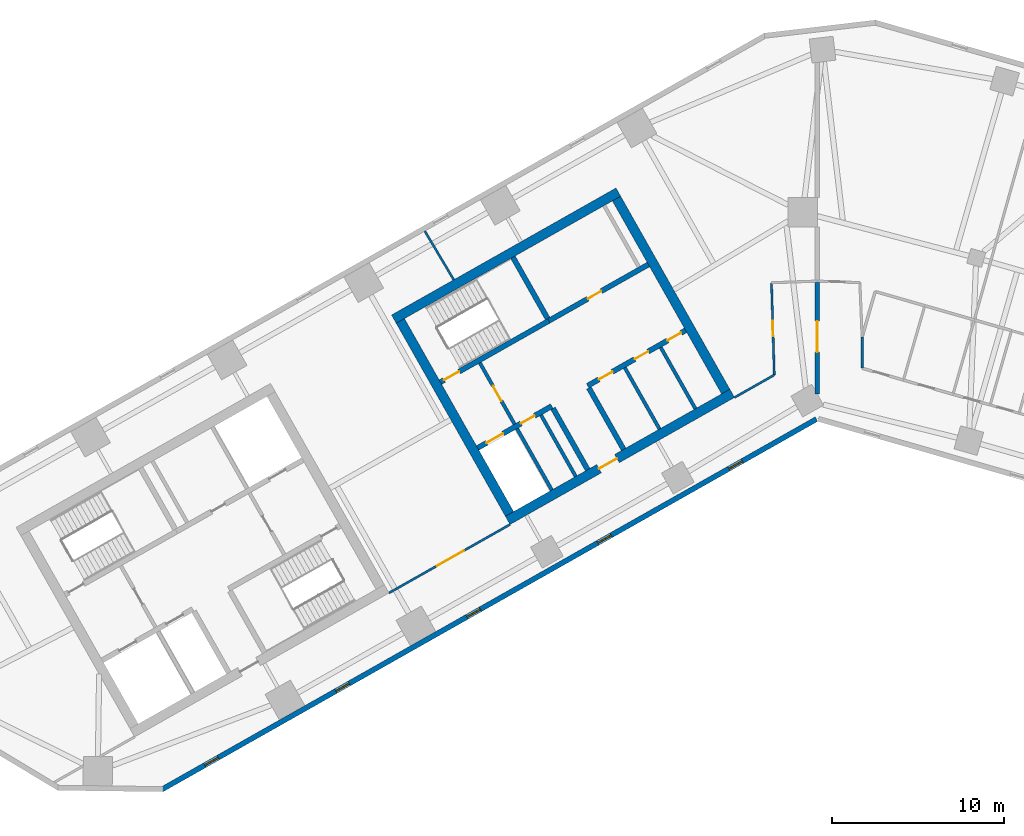
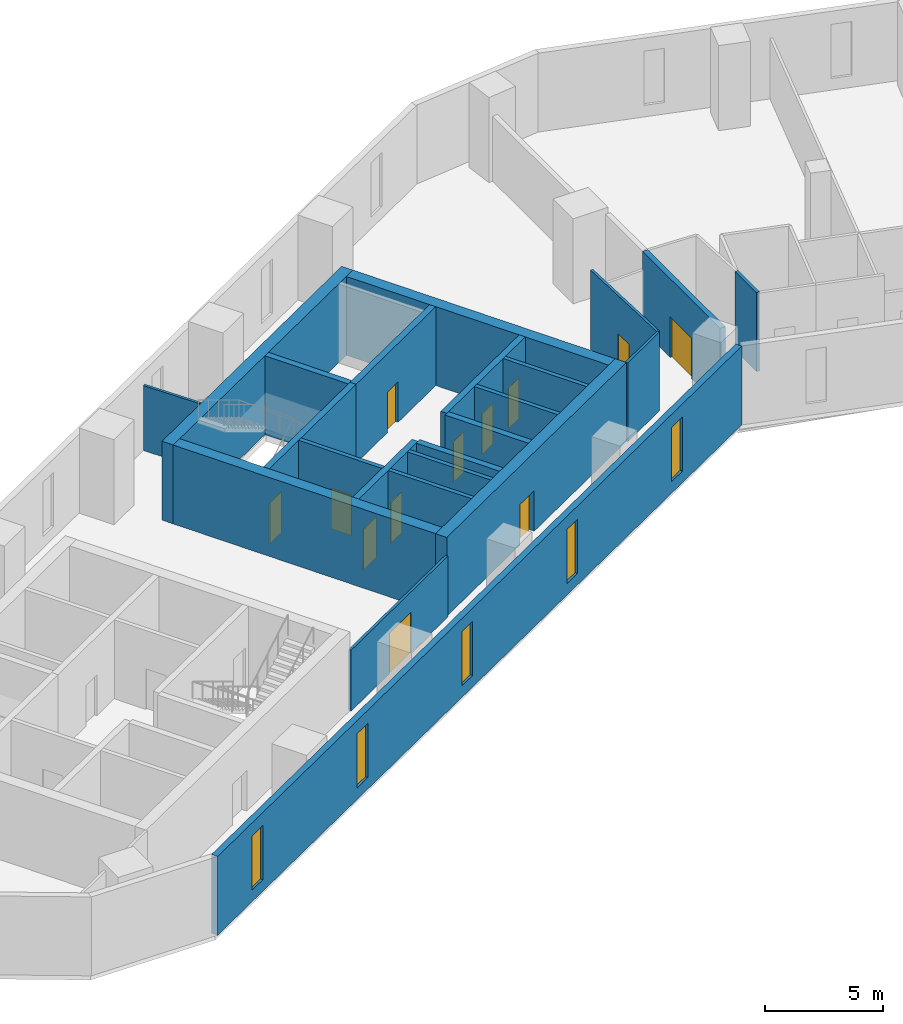
# One storey, part 4 of 10: 23 walls, 12 doors, 5 windows, 17 openings.
"""IFC4 building model written with IfcOpenShell, lengths in metres."""

from ifc_helpers import new_model, si_unit, direction, frame, frame_2d, origin, place, context, subcontext, project, spatial, rectangle, extrude, material, layer, layer_set, type_object, element, fill, save


model = new_model("IFC4")

# Units and contexts
model_context = context("Model", 3, precision=1e-05, world=origin(), true_north=direction((0.0, 1.0)))
body_context = subcontext(model_context, "Body", "Model", "MODEL_VIEW")
ifc_project = project(units=[si_unit("LENGTHUNIT", "METRE"), si_unit("AREAUNIT", "SQUARE_METRE"), si_unit("VOLUMEUNIT", "CUBIC_METRE"), si_unit("PLANEANGLEUNIT", "RADIAN"), si_unit("MASSUNIT", "GRAM", prefix="KILO")], contexts=[model_context])

# Site, building, storey
site_placement = place(None, origin())
site = spatial("IfcSite", under=ifc_project, at=site_placement, CompositionType="ELEMENT")
building_placement = place(site_placement, origin())
building = spatial("IfcBuilding", under=site, at=building_placement, Name="Binnacle Exchange Tower", CompositionType="ELEMENT")
storey_placement = place(building_placement, frame((0.0, 0.0, 136.699951171875)))
storey = spatial("IfcBuildingStorey", under=building, at=storey_placement, Name="L28", CompositionType="ELEMENT", Elevation=136.699951171875)

# Walls
ifc_material_1 = material(Name="Gypsum partition fire rated")
ifc_layer_1 = layer(ifc_material_1, 0.199951171875)
ifc_layer_set_1 = layer_set([ifc_layer_1], Name="Core partition 200")
wall_type_1 = type_object("IfcWallType", Name="Core partition 200", PredefinedType="PARTITIONING", material=ifc_layer_set_1)
wall_1_placement = place(storey_placement, frame((-11.201904296875, 50.96240234375, 0.0), z_axis=(0.0, 0.0, 1.0), x_axis=(0.492428039142, -0.870353161807, 0.0)))
element("IfcWall", 1, at=wall_1_placement, inside=storey, type_object=wall_type_1, Name="Core wall CRWC19", PredefinedType="PARTITIONING", context=body_context, shape_type="SweptSolid", body=[
    extrude(rectangle(XDim=4.10009765625, YDim=0.199951171875, at=frame_2d((2.050048828125, 0.0))), origin(), (0.0, 0.0, 1.0), 4.080078125),
])
wall_2_placement = place(storey_placement, frame((-9.11279296875, 52.14404296875, 0.0), z_axis=(0.0, 0.0, 1.0), x_axis=(0.492408451753, -0.87036424366, 0.0)))
element("IfcWall", 2, at=wall_2_placement, inside=storey, type_object=wall_type_1, Name="Core wall CRWC22", PredefinedType="PARTITIONING", context=body_context, shape_type="SweptSolid", body=[
    extrude(rectangle(XDim=4.099853515625, YDim=0.199951171875, at=frame_2d((2.0498046875, 0.0))), origin(), (0.0, 0.0, 1.0), 4.080078125),
])

# Wall, openings, doors
ifc_material_2 = material(Name="Concrete C70/85", Category="concrete")
ifc_layer_2 = layer(ifc_material_2, 0.300048828125)
ifc_layer_set_2 = layer_set([ifc_layer_2], Name="Core wall - front 300")
wall_type_2 = type_object("IfcWallType", Name="Core wall - front 300", PredefinedType="SOLIDWALL", material=ifc_layer_set_2)
wall_3_placement = place(storey_placement, frame((-19.76171875, 46.291748046875, 0.0), z_axis=(0.0, 0.0, 1.0), x_axis=(0.870359758983, 0.49241637863, 0.0)))
wall_3 = element("IfcWall", 3, at=wall_3_placement, inside=storey, type_object=wall_type_2, Name="Core wall CRWC2", PredefinedType="SOLIDWALL", context=body_context, shape_type="SweptSolid", body=[
    extrude(rectangle(XDim=4.9501953125, YDim=0.300048828125, at=frame_2d((2.47509765625, 0.0))), origin(), (0.0, 0.0, 1.0), 4.080078125),
])
opening_1_placement = place(wall_3_placement, frame((0.60009765625, 0.0, 0.0)))
opening_1 = element("IfcOpeningElement", 4, at=opening_1_placement, cuts=wall_3, Name="Opening LD14", PredefinedType="OPENING", context=body_context, shape_type="SweptSolid", body=[
    extrude(rectangle(XDim=1.10009765625, YDim=2.10009765625, at=frame_2d((0.550048828125, 1.050048828125))), frame((0.0, 0.159912109375, 0.0), z_axis=(0.0, -1.0, 0.0), x_axis=(1.0, 0.0, 0.0)), (0.0, 0.0, 1.0), 0.320068359375),
])
opening_2_placement = place(wall_3_placement, frame((2.89990234375, 0.0, 0.0)))
opening_2 = element("IfcOpeningElement", 5, at=opening_2_placement, cuts=wall_3, Name="Opening DC14", PredefinedType="OPENING", context=body_context, shape_type="SweptSolid", body=[
    extrude(rectangle(XDim=0.89990234375, YDim=2.10009765625, at=frame_2d((0.449951171875, 1.050048828125))), frame((0.0, 0.159912109375, 0.0), z_axis=(0.0, -1.0, 0.0), x_axis=(1.0, 0.0, 0.0)), (0.0, 0.0, 1.0), 0.320068359375),
])
ifc_material_3 = material(Name="Steel door leaf", Category="steel")
door_type_1 = type_object("IfcDoorType", Name="Fire door - lift landing 1100", OperationType="NOTDEFINED", PredefinedType="DOOR", material=ifc_material_3)
door_1_placement = place(opening_1_placement, origin())
door_1 = element("IfcDoor", 6, at=door_1_placement, inside=storey, type_object=door_type_1, Name="Landing door LD14 L28", OperationType="DOUBLE_DOOR_SLIDING", OverallHeight=2.10009765625, OverallWidth=1.10009765625, PredefinedType="DOOR", context=body_context, shape_type="SweptSolid", body=[
    extrude(rectangle(XDim=1.10009765625, YDim=2.10009765625, at=frame_2d((0.550048828125, 1.050048828125))), frame((0.0, 0.02490234375, 0.0), z_axis=(0.0, -1.0, 0.0), x_axis=(1.0, 0.0, 0.0)), (0.0, 0.0, 1.0), 0.050048828125),
])
fill(opening_1, door_1)
door_type_2 = type_object("IfcDoorType", Name="Fire door 900", OperationType="NOTDEFINED", PredefinedType="DOOR", material=ifc_material_3)
door_2_placement = place(opening_2_placement, frame((0.89990234375, 0.0, 0.0), z_axis=(0.0, 0.0, 1.0), x_axis=(-1.0, 0.0, 0.0)))
door_2 = element("IfcDoor", 7, at=door_2_placement, inside=storey, type_object=door_type_2, Name="Core room door ELECTRICAL ROOM", OperationType="SINGLE_SWING_LEFT", OverallHeight=2.10009765625, OverallWidth=0.89990234375, PredefinedType="DOOR", context=body_context, shape_type="SweptSolid", body=[
    extrude(rectangle(XDim=0.89990234375, YDim=2.10009765625, at=frame_2d((0.449951171875, 1.050048828125))), frame((0.0, 0.02490234375, 0.0), z_axis=(0.0, -1.0, 0.0), x_axis=(1.0, 0.0, 0.0)), (0.0, 0.0, 1.0), 0.050048828125),
])
fill(opening_2, door_2)

wall_4_placement = place(storey_placement, frame((-13.364501953125, 49.910888671875, 0.0), z_axis=(0.0, 0.0, 1.0), x_axis=(0.870336435567, 0.492457601144, 0.0)))
wall_4 = element("IfcWall", 8, at=wall_4_placement, inside=storey, type_object=wall_type_2, Name="Core wall CRWC3", PredefinedType="SOLIDWALL", context=body_context, shape_type="SweptSolid", body=[
    extrude(rectangle(XDim=6.550048828125, YDim=0.300048828125, at=frame_2d((3.27490234375, 0.0))), origin(), (0.0, 0.0, 1.0), 4.080078125),
])
opening_3_placement = place(wall_4_placement, frame((0.75, 0.0, 0.0)))
opening_3 = element("IfcOpeningElement", 9, at=opening_3_placement, cuts=wall_4, Name="Opening DC18", PredefinedType="OPENING", context=body_context, shape_type="SweptSolid", body=[
    extrude(rectangle(XDim=0.89990234375, YDim=2.10009765625, at=frame_2d((0.449951171875, 1.050048828125))), frame((0.0, 0.159912109375, 0.0), z_axis=(0.0, -1.0, 0.0), x_axis=(1.0, 0.0, 0.0)), (0.0, 0.0, 1.0), 0.320068359375),
])
opening_4_placement = place(wall_4_placement, frame((3.14990234375, 0.0, 0.0)))
opening_4 = element("IfcOpeningElement", 10, at=opening_4_placement, cuts=wall_4, Name="Opening DC19", PredefinedType="OPENING", context=body_context, shape_type="SweptSolid", body=[
    extrude(rectangle(XDim=0.89990234375, YDim=2.10009765625, at=frame_2d((0.449951171875, 1.050048828125))), frame((0.0, 0.159912109375, 0.0), z_axis=(0.0, -1.0, 0.0), x_axis=(1.0, 0.0, 0.0)), (0.0, 0.0, 1.0), 0.320068359375),
])
opening_5_placement = place(wall_4_placement, frame((5.35009765625, 0.0, 0.0)))
opening_5 = element("IfcOpeningElement", 11, at=opening_5_placement, cuts=wall_4, Name="Opening DC20", PredefinedType="OPENING", context=body_context, shape_type="SweptSolid", body=[
    extrude(rectangle(XDim=0.89990234375, YDim=2.10009765625, at=frame_2d((0.449951171875, 1.050048828125))), frame((0.0, 0.159912109375, 0.0), z_axis=(0.0, -1.0, 0.0), x_axis=(1.0, 0.0, 0.0)), (0.0, 0.0, 1.0), 0.320068359375),
])
door_3_placement = place(opening_3_placement, frame((0.89990234375, 0.0, 0.0), z_axis=(0.0, 0.0, 1.0), x_axis=(-1.0, 0.0, 0.0)))
door_3 = element("IfcDoor", 12, at=door_3_placement, inside=storey, type_object=door_type_2, Name="Core room door COMMS RISER ROOM", OperationType="SINGLE_SWING_RIGHT", OverallHeight=2.10009765625, OverallWidth=0.89990234375, PredefinedType="DOOR", context=body_context, shape_type="SweptSolid", body=[
    extrude(rectangle(XDim=0.89990234375, YDim=2.10009765625, at=frame_2d((0.449951171875, 1.050048828125))), frame((0.0, 0.02490234375, 0.0), z_axis=(0.0, -1.0, 0.0), x_axis=(1.0, 0.0, 0.0)), (0.0, 0.0, 1.0), 0.050048828125),
])
fill(opening_3, door_3)
door_4_placement = place(opening_4_placement, frame((0.89990234375, 0.0, 0.0), z_axis=(0.0, 0.0, 1.0), x_axis=(-1.0, 0.0, 0.0)))
door_4 = element("IfcDoor", 13, at=door_4_placement, inside=storey, type_object=door_type_2, Name="Core room door CLEANERS STORE", OperationType="SINGLE_SWING_LEFT", OverallHeight=2.10009765625, OverallWidth=0.89990234375, PredefinedType="DOOR", context=body_context, shape_type="SweptSolid", body=[
    extrude(rectangle(XDim=0.89990234375, YDim=2.10009765625, at=frame_2d((0.449951171875, 1.050048828125))), frame((0.0, 0.02490234375, 0.0), z_axis=(0.0, -1.0, 0.0), x_axis=(1.0, 0.0, 0.0)), (0.0, 0.0, 1.0), 0.050048828125),
])
fill(opening_4, door_4)
door_5_placement = place(opening_5_placement, frame((0.89990234375, 0.0, 0.0), z_axis=(0.0, 0.0, 1.0), x_axis=(-1.0, 0.0, 0.0)))
door_5 = element("IfcDoor", 14, at=door_5_placement, inside=storey, type_object=door_type_2, Name="Core room door IT STORE", OperationType="SINGLE_SWING_LEFT", OverallHeight=2.10009765625, OverallWidth=0.89990234375, PredefinedType="DOOR", context=body_context, shape_type="SweptSolid", body=[
    extrude(rectangle(XDim=0.89990234375, YDim=2.10009765625, at=frame_2d((0.449951171875, 1.050048828125))), frame((0.0, 0.02490234375, 0.0), z_axis=(0.0, -1.0, 0.0), x_axis=(1.0, 0.0, 0.0)), (0.0, 0.0, 1.0), 0.050048828125),
])
fill(opening_5, door_5)

# Wall, opening, door
wall_5_placement = place(storey_placement, frame((-15.6181640625, 53.69140625, 0.0), z_axis=(0.0, 0.0, 1.0), x_axis=(0.870367894134, 0.492401999246, 0.0)))
wall_5 = element("IfcWall", 15, at=wall_5_placement, inside=storey, type_object=wall_type_2, Name="Core wall CRWC5", PredefinedType="SOLIDWALL", context=body_context, shape_type="SweptSolid", body=[
    extrude(rectangle(XDim=6.64990234375, YDim=0.300048828125, at=frame_2d((3.324951171875, 0.0))), origin(), (0.0, 0.0, 1.0), 4.080078125),
])
opening_6_placement = place(wall_5_placement, frame((2.60009765625, 0.0, 0.0)))
opening_6 = element("IfcOpeningElement", 16, at=opening_6_placement, cuts=wall_5, Name="Opening DC10", PredefinedType="OPENING", context=body_context, shape_type="SweptSolid", body=[
    extrude(rectangle(XDim=0.89990234375, YDim=2.10009765625, at=frame_2d((0.449951171875, 1.050048828125))), frame((0.0, 0.159912109375, 0.0), z_axis=(0.0, -1.0, 0.0), x_axis=(1.0, 0.0, 0.0)), (0.0, 0.0, 1.0), 0.320068359375),
])
door_6_placement = place(opening_6_placement, origin())
door_6 = element("IfcDoor", 17, at=door_6_placement, inside=storey, type_object=door_type_2, Name="Core room door SPARES STORE", OperationType="SINGLE_SWING_LEFT", OverallHeight=2.10009765625, OverallWidth=0.89990234375, PredefinedType="DOOR", context=body_context, shape_type="SweptSolid", body=[
    extrude(rectangle(XDim=0.89990234375, YDim=2.10009765625, at=frame_2d((0.449951171875, 1.050048828125))), frame((0.0, 0.02490234375, 0.0), z_axis=(0.0, -1.0, 0.0), x_axis=(1.0, 0.0, 0.0)), (0.0, 0.0, 1.0), 0.050048828125),
])
fill(opening_6, door_6)

# Walls
wall_6_placement = place(storey_placement, frame((-15.37939453125, 48.5986328125, 0.0), z_axis=(0.0, 0.0, 1.0), x_axis=(0.492408451753, -0.87036424366, 0.0)))
element("IfcWall", 18, at=wall_6_placement, inside=storey, type_object=wall_type_2, Name="Core wall CRWC13", PredefinedType="SOLIDWALL", context=body_context, shape_type="SweptSolid", body=[
    extrude(rectangle(XDim=4.099853515625, YDim=0.300048828125, at=frame_2d((2.0498046875, 0.0))), origin(), (0.0, 0.0, 1.0), 4.080078125),
])
wall_7_placement = place(storey_placement, frame((-13.29052734375, 49.780517578125, 0.0), z_axis=(0.0, 0.0, 1.0), x_axis=(0.492382931784, -0.870378681085, 0.0)))
element("IfcWall", 19, at=wall_7_placement, inside=storey, type_object=wall_type_2, Name="Core wall CRWC15", PredefinedType="SOLIDWALL", context=body_context, shape_type="SweptSolid", body=[
    extrude(rectangle(XDim=4.10009765625, YDim=0.300048828125, at=frame_2d((2.050048828125, 0.0))), origin(), (0.0, 0.0, 1.0), 4.080078125),
])

# Wall, opening, door
ifc_layer_3 = layer(ifc_material_2, 0.550048828125)
ifc_layer_set_3 = layer_set([ifc_layer_3], Name="Core wall - outer 550")
wall_type_3 = type_object("IfcWallType", Name="Core wall - outer 550", PredefinedType="SOLIDWALL", material=ifc_layer_set_3)
wall_8_placement = place(storey_placement, frame((-18.01220703125, 42.08251953125, 0.0), z_axis=(0.0, 0.0, 1.0), x_axis=(0.870360574057, 0.492414937962, 0.0)))
wall_8 = element("IfcWall", 20, at=wall_8_placement, inside=storey, type_object=wall_type_3, Name="Core wall CRWC1", PredefinedType="SOLIDWALL", context=body_context, shape_type="SweptSolid", body=[
    extrude(rectangle(XDim=15.0, YDim=0.550048828125, at=frame_2d((7.5, 0.0))), origin(), (0.0, 0.0, 1.0), 4.080078125),
])
opening_7_placement = place(wall_8_placement, frame((6.10009765625, 0.0, 0.0)))
opening_7 = element("IfcOpeningElement", 21, at=opening_7_placement, cuts=wall_8, Name="Opening DC7", PredefinedType="OPENING", context=body_context, shape_type="SweptSolid", body=[
    extrude(rectangle(XDim=1.199951171875, YDim=2.10009765625, at=frame_2d((0.60009765625, 1.050048828125))), frame((0.0, 0.284912109375, 0.0), z_axis=(0.0, -1.0, 0.0), x_axis=(1.0, 0.0, 0.0)), (0.0, 0.0, 1.0), 0.570068359375),
])
door_type_3 = type_object("IfcDoorType", Name="Fire door 1200", OperationType="NOTDEFINED", PredefinedType="DOOR", material=ifc_material_3)
door_7_placement = place(opening_7_placement, frame((1.199951171875, 0.0, 0.0), z_axis=(0.0, 0.0, 1.0), x_axis=(-1.0, 0.0, 0.0)))
door_7 = element("IfcDoor", 22, at=door_7_placement, inside=storey, type_object=door_type_3, Name="Lift lobby entrance door core C", OperationType="SINGLE_SWING_RIGHT", OverallHeight=2.10009765625, OverallWidth=1.199951171875, PredefinedType="DOOR", context=body_context, shape_type="SweptSolid", body=[
    extrude(rectangle(XDim=1.199951171875, YDim=2.10009765625, at=frame_2d((0.60009765625, 1.050048828125))), frame((0.0, 0.02490234375, 0.0), z_axis=(0.0, -1.0, 0.0), x_axis=(1.0, 0.0, 0.0)), (0.0, 0.0, 1.0), 0.050048828125),
])
fill(opening_7, door_7)

# Walls
wall_9_placement = place(storey_placement, frame((-24.63525390625, 53.788818359375, 0.0), z_axis=(0.0, 0.0, 1.0), x_axis=(0.870360574057, 0.492414937962, 0.0)))
element("IfcWall", 23, at=wall_9_placement, inside=storey, type_object=wall_type_3, Name="Core wall CRWC6", PredefinedType="SOLIDWALL", context=body_context, shape_type="SweptSolid", body=[
    extrude(rectangle(XDim=15.0, YDim=0.550048828125, at=frame_2d((7.5, 0.0))), origin(), (0.0, 0.0, 1.0), 4.080078125),
])
for number, where, z_axis, x_axis, name in (
    (24, (-24.260498046875, 53.684814453125, 0.0), (0.0, 0.0, 1.0), (0.492427022044, -0.870353737259, 0.0), "Core wall CRWC7"),
    (25, (-11.683837890625, 60.80029296875, 0.0), (0.0, 0.0, 1.0), (0.492427022044, -0.870353737259, 0.0), "Core wall CRWC24"),
):
    element("IfcWall", number, at=place(storey_placement, frame(where, z_axis=z_axis, x_axis=x_axis)), inside=storey, type_object=wall_type_3, Name=name, PredefinedType="SOLIDWALL", context=body_context, shape_type="SweptSolid", body=[
        extrude(rectangle(XDim=12.89990234375, YDim=0.550048828125, at=frame_2d((6.449951171875, 0.0))), origin(), (0.0, 0.0, 1.0), 4.080078125),
    ])

# Wall, opening, door
ifc_layer_4 = layer(ifc_material_2, 0.300048828125)
ifc_layer_set_4 = layer_set([ifc_layer_4], Name="Core wall - stair 300")
wall_type_4 = type_object("IfcWallType", Name="Core wall - stair 300", PredefinedType="SOLIDWALL", material=ifc_layer_set_4)
wall_10_placement = place(storey_placement, frame((-21.92822265625, 50.12109375, 0.0), z_axis=(0.0, 0.0, 1.0), x_axis=(0.870340732628, 0.49245000673, 0.0)))
wall_10 = element("IfcWall", 26, at=wall_10_placement, inside=storey, type_object=wall_type_4, Name="Core wall CRWC4", PredefinedType="SOLIDWALL", context=body_context, shape_type="SweptSolid", body=[
    extrude(rectangle(XDim=7.25, YDim=0.300048828125, at=frame_2d((3.625, 0.0))), origin(), (0.0, 0.0, 1.0), 4.080078125),
])
opening_8_placement = place(wall_10_placement, frame((0.25, 0.0, 0.0)))
opening_8 = element("IfcOpeningElement", 27, at=opening_8_placement, cuts=wall_10, Name="Opening DC1", PredefinedType="OPENING", context=body_context, shape_type="SweptSolid", body=[
    extrude(rectangle(XDim=1.0, YDim=2.10009765625, at=frame_2d((0.5, 1.050048828125))), frame((0.0, 0.159912109375, 0.0), z_axis=(0.0, -1.0, 0.0), x_axis=(1.0, 0.0, 0.0)), (0.0, 0.0, 1.0), 0.320068359375),
])
door_type_4 = type_object("IfcDoorType", Name="Fire door 1000", OperationType="NOTDEFINED", PredefinedType="DOOR", material=ifc_material_3)
door_8_placement = place(opening_8_placement, origin())
door_8 = element("IfcDoor", 28, at=door_8_placement, inside=storey, type_object=door_type_4, Name="Stair door ST-C1", OperationType="SINGLE_SWING_LEFT", OverallHeight=2.10009765625, OverallWidth=1.0, PredefinedType="DOOR", context=body_context, shape_type="SweptSolid", body=[
    extrude(rectangle(XDim=1.0, YDim=2.10009765625, at=frame_2d((0.5, 1.050048828125))), frame((0.0, 0.02490234375, 0.0), z_axis=(0.0, -1.0, 0.0), x_axis=(1.0, 0.0, 0.0)), (0.0, 0.0, 1.0), 0.050048828125),
])
fill(opening_8, door_8)

# Wall
wall_11_placement = place(storey_placement, frame((-17.7109375, 57.390380859375, 0.0), z_axis=(0.0, 0.0, 1.0), x_axis=(0.492408451753, -0.87036424366, 0.0)))
element("IfcWall", 29, at=wall_11_placement, inside=storey, type_object=wall_type_4, Name="Core wall CRWC14", PredefinedType="SOLIDWALL", context=body_context, shape_type="SweptSolid", body=[
    extrude(rectangle(XDim=4.099853515625, YDim=0.300048828125, at=frame_2d((2.0498046875, 0.0))), origin(), (0.0, 0.0, 1.0), 4.080078125),
])

# Wall, openings, windows
ifc_material_4 = material(Name="Bronze aluminium cladding", Category="aluminium")
ifc_layer_5 = layer(ifc_material_4, 0.300048828125)
ifc_layer_set_5 = layer_set([ifc_layer_5], Name="External wall - spandrel 300")
wall_type_5 = type_object("IfcWallType", Name="External wall - spandrel 300", PredefinedType="STANDARD", material=ifc_layer_set_5)
wall_12_placement = place(storey_placement, frame((-0.0546875, 47.968994140625, 0.0), z_axis=(0.0, 0.0, 1.0), x_axis=(-0.870355730478, -0.492423499058, 0.0)))
wall_12 = element("IfcWall", 30, at=wall_12_placement, inside=storey, type_object=wall_type_5, Name="External wall EW-F07 L28", PredefinedType="STANDARD", context=body_context, shape_type="SweptSolid", body=[
    extrude(rectangle(XDim=43.750244140625, YDim=0.300048828125, at=frame_2d((21.875, 0.0))), origin(), (0.0, 0.0, 1.0), 4.080078125),
])
opening_9_placement = place(wall_12_placement, frame((39.976806640625, 0.0, 0.60009765625)))
opening_9 = element("IfcOpeningElement", 31, at=opening_9_placement, cuts=wall_12, Name="Opening WS2", PredefinedType="OPENING", context=body_context, shape_type="SweptSolid", body=[
    extrude(rectangle(XDim=0.89990234375, YDim=2.800048828125, at=frame_2d((0.449951171875, 1.39990234375))), frame((0.0, 0.159912109375, 0.0), z_axis=(0.0, -1.0, 0.0), x_axis=(1.0, 0.0, 0.0)), (0.0, 0.0, 1.0), 0.320068359375),
])
opening_10_placement = place(wall_12_placement, frame((31.222412109375, 0.0, 0.60009765625)))
opening_10 = element("IfcOpeningElement", 32, at=opening_10_placement, cuts=wall_12, Name="Opening WS2", PredefinedType="OPENING", context=body_context, shape_type="SweptSolid", body=[
    extrude(rectangle(XDim=0.89990234375, YDim=2.800048828125, at=frame_2d((0.449951171875, 1.39990234375))), frame((0.0, 0.159912109375, 0.0), z_axis=(0.0, -1.0, 0.0), x_axis=(1.0, 0.0, 0.0)), (0.0, 0.0, 1.0), 0.320068359375),
])
opening_11_placement = place(wall_12_placement, frame((22.4677734375, 0.0, 0.60009765625)))
opening_11 = element("IfcOpeningElement", 33, at=opening_11_placement, cuts=wall_12, Name="Opening WS2", PredefinedType="OPENING", context=body_context, shape_type="SweptSolid", body=[
    extrude(rectangle(XDim=0.89990234375, YDim=2.800048828125, at=frame_2d((0.449951171875, 1.39990234375))), frame((0.0, 0.159912109375, 0.0), z_axis=(0.0, -1.0, 0.0), x_axis=(1.0, 0.0, 0.0)), (0.0, 0.0, 1.0), 0.320068359375),
])
opening_12_placement = place(wall_12_placement, frame((13.713134765625, 0.0, 0.60009765625)))
opening_12 = element("IfcOpeningElement", 34, at=opening_12_placement, cuts=wall_12, Name="Opening WS2", PredefinedType="OPENING", context=body_context, shape_type="SweptSolid", body=[
    extrude(rectangle(XDim=0.89990234375, YDim=2.800048828125, at=frame_2d((0.449951171875, 1.39990234375))), frame((0.0, 0.159912109375, 0.0), z_axis=(0.0, -1.0, 0.0), x_axis=(1.0, 0.0, 0.0)), (0.0, 0.0, 1.0), 0.320068359375),
])
opening_13_placement = place(wall_12_placement, frame((4.958740234375, 0.0, 0.60009765625)))
opening_13 = element("IfcOpeningElement", 35, at=opening_13_placement, cuts=wall_12, Name="Opening WS2", PredefinedType="OPENING", context=body_context, shape_type="SweptSolid", body=[
    extrude(rectangle(XDim=0.89990234375, YDim=2.800048828125, at=frame_2d((0.449951171875, 1.39990234375))), frame((0.0, 0.159912109375, 0.0), z_axis=(0.0, -1.0, 0.0), x_axis=(1.0, 0.0, 0.0)), (0.0, 0.0, 1.0), 0.320068359375),
])
ifc_material_5 = material(Name="Bronze anodised aluminium frame", Category="aluminium")
window_type = type_object("IfcWindowType", Name="WS2 WINDOW 900x2800", PartitioningType="SINGLE_PANEL", PredefinedType="WINDOW", material=ifc_material_5)
window_1_placement = place(opening_9_placement, origin())
window_1 = element("IfcWindow", 36, at=window_1_placement, inside=storey, type_object=window_type, Name="Window WS2 L28", OverallHeight=2.800048828125, OverallWidth=0.89990234375, PartitioningType="SINGLE_PANEL", PredefinedType="WINDOW", context=body_context, shape_type="SweptSolid", body=[
    extrude(rectangle(XDim=0.89990234375, YDim=2.800048828125, at=frame_2d((0.449951171875, 1.39990234375))), frame((0.0, 0.030029296875, 0.0), z_axis=(0.0, -1.0, 0.0), x_axis=(1.0, 0.0, 0.0)), (0.0, 0.0, 1.0), 0.06005859375),
])
fill(opening_9, window_1)
window_2_placement = place(opening_10_placement, origin())
window_2 = element("IfcWindow", 37, at=window_2_placement, inside=storey, type_object=window_type, Name="Window WS2 L28", OverallHeight=2.800048828125, OverallWidth=0.89990234375, PartitioningType="SINGLE_PANEL", PredefinedType="WINDOW", context=body_context, shape_type="SweptSolid", body=[
    extrude(rectangle(XDim=0.89990234375, YDim=2.800048828125, at=frame_2d((0.449951171875, 1.39990234375))), frame((0.0, 0.030029296875, 0.0), z_axis=(0.0, -1.0, 0.0), x_axis=(1.0, 0.0, 0.0)), (0.0, 0.0, 1.0), 0.06005859375),
])
fill(opening_10, window_2)
window_3_placement = place(opening_11_placement, origin())
window_3 = element("IfcWindow", 38, at=window_3_placement, inside=storey, type_object=window_type, Name="Window WS2 L28", OverallHeight=2.800048828125, OverallWidth=0.89990234375, PartitioningType="SINGLE_PANEL", PredefinedType="WINDOW", context=body_context, shape_type="SweptSolid", body=[
    extrude(rectangle(XDim=0.89990234375, YDim=2.800048828125, at=frame_2d((0.449951171875, 1.39990234375))), frame((0.0, 0.030029296875, 0.0), z_axis=(0.0, -1.0, 0.0), x_axis=(1.0, 0.0, 0.0)), (0.0, 0.0, 1.0), 0.06005859375),
])
fill(opening_11, window_3)
window_4_placement = place(opening_12_placement, origin())
window_4 = element("IfcWindow", 39, at=window_4_placement, inside=storey, type_object=window_type, Name="Window WS2 L28", OverallHeight=2.800048828125, OverallWidth=0.89990234375, PartitioningType="SINGLE_PANEL", PredefinedType="WINDOW", context=body_context, shape_type="SweptSolid", body=[
    extrude(rectangle(XDim=0.89990234375, YDim=2.800048828125, at=frame_2d((0.449951171875, 1.39990234375))), frame((0.0, 0.030029296875, 0.0), z_axis=(0.0, -1.0, 0.0), x_axis=(1.0, 0.0, 0.0)), (0.0, 0.0, 1.0), 0.06005859375),
])
fill(opening_12, window_4)
window_5_placement = place(opening_13_placement, origin())
window_5 = element("IfcWindow", 40, at=window_5_placement, inside=storey, type_object=window_type, Name="Window WS2 L28", OverallHeight=2.800048828125, OverallWidth=0.89990234375, PartitioningType="SINGLE_PANEL", PredefinedType="WINDOW", context=body_context, shape_type="SweptSolid", body=[
    extrude(rectangle(XDim=0.89990234375, YDim=2.800048828125, at=frame_2d((0.449951171875, 1.39990234375))), frame((0.0, 0.030029296875, 0.0), z_axis=(0.0, -1.0, 0.0), x_axis=(1.0, 0.0, 0.0)), (0.0, 0.0, 1.0), 0.06005859375),
])
fill(opening_13, window_5)

# Wall, opening, door
ifc_material_6 = material(Name="Concrete fire wall C30/37", Category="concrete")
ifc_layer_6 = layer(ifc_material_6, 0.25)
ifc_layer_set_6 = layer_set([ifc_layer_6], Name="Fire wall - compartment 250")
wall_type_6 = type_object("IfcWallType", Name="Fire wall - compartment 250", PredefinedType="PARTITIONING", material=ifc_layer_set_6)
wall_13_placement = place(storey_placement, frame((0.0, 49.422119140625, 0.0), z_axis=(0.0, 0.0, 1.0), x_axis=(0.0, 1.0, 0.0)))
wall_13 = element("IfcWall", 41, at=wall_13_placement, inside=storey, type_object=wall_type_6, Name="Fire Wall W08", PredefinedType="PARTITIONING", context=body_context, shape_type="SweptSolid", body=[
    extrude(rectangle(XDim=6.577880859375, YDim=0.25, at=frame_2d((3.2890625, 0.0))), origin(), (0.0, 0.0, 1.0), 4.080078125),
])
opening_14_placement = place(wall_13_placement, frame((2.449951171875, 0.0, 0.0)))
opening_14 = element("IfcOpeningElement", 42, at=opening_14_placement, cuts=wall_13, Name="Opening DL28-11", PredefinedType="OPENING", context=body_context, shape_type="SweptSolid", body=[
    extrude(rectangle(XDim=1.800048828125, YDim=2.10009765625, at=frame_2d((0.89990234375, 1.050048828125))), frame((0.0, 0.135009765625, 0.0), z_axis=(0.0, -1.0, 0.0), x_axis=(1.0, 0.0, 0.0)), (0.0, 0.0, 1.0), 0.27001953125),
])
door_type_5 = type_object("IfcDoorType", Name="Fire door 1800", OperationType="NOTDEFINED", PredefinedType="DOOR", material=ifc_material_3)
door_9_placement = place(opening_14_placement, origin())
door_9 = element("IfcDoor", 43, at=door_9_placement, inside=storey, type_object=door_type_5, Name="Door DL28-11", OperationType="DOUBLE_DOOR_SINGLE_SWING", OverallHeight=2.10009765625, OverallWidth=1.800048828125, PredefinedType="DOOR", context=body_context, shape_type="SweptSolid", body=[
    extrude(rectangle(XDim=1.800048828125, YDim=2.10009765625, at=frame_2d((0.89990234375, 1.050048828125))), frame((0.0, 0.02490234375, 0.0), z_axis=(0.0, -1.0, 0.0), x_axis=(1.0, 0.0, 0.0)), (0.0, 0.0, 1.0), 0.050048828125),
])
fill(opening_14, door_9)

ifc_material_7 = material(Name="Masonry block wall", Category="masonry")
ifc_layer_7 = layer(ifc_material_7, 0.199951171875)
ifc_layer_set_7 = layer_set([ifc_layer_7], Name="Fire wall - vestibule 200")
wall_type_7 = type_object("IfcWallType", Name="Fire wall - vestibule 200", PredefinedType="PARTITIONING", material=ifc_layer_set_7)
wall_14_placement = place(storey_placement, frame((-19.635009765625, 51.246337890625, 0.0), z_axis=(0.0, 0.0, 1.0), x_axis=(0.492408451753, -0.87036424366, 0.0)))
wall_14 = element("IfcWall", 44, at=wall_14_placement, inside=storey, type_object=wall_type_7, Name="Core wall CRWC10", PredefinedType="PARTITIONING", context=body_context, shape_type="SweptSolid", body=[
    extrude(rectangle(XDim=4.099853515625, YDim=0.199951171875, at=frame_2d((2.0498046875, 0.0))), origin(), (0.0, 0.0, 1.0), 4.080078125),
])
opening_15_placement = place(wall_14_placement, frame((1.550048828125, 0.0, 0.0)))
opening_15 = element("IfcOpeningElement", 45, at=opening_15_placement, cuts=wall_14, Name="Opening DC3", PredefinedType="OPENING", context=body_context, shape_type="SweptSolid", body=[
    extrude(rectangle(XDim=1.0, YDim=2.10009765625, at=frame_2d((0.5, 1.050048828125))), frame((0.0, 0.10986328125, 0.0), z_axis=(0.0, -1.0, 0.0), x_axis=(1.0, 0.0, 0.0)), (0.0, 0.0, 1.0), 0.219970703125),
])
door_10_placement = place(opening_15_placement, frame((1.0, 0.0, 0.0), z_axis=(0.0, 0.0, 1.0), x_axis=(-1.0, 0.0, 0.0)))
door_10 = element("IfcDoor", 46, at=door_10_placement, inside=storey, type_object=door_type_4, Name="Vestibule door VEST-W", OperationType="SINGLE_SWING_RIGHT", OverallHeight=2.10009765625, OverallWidth=1.0, PredefinedType="DOOR", context=body_context, shape_type="SweptSolid", body=[
    extrude(rectangle(XDim=1.0, YDim=2.10009765625, at=frame_2d((0.5, 1.050048828125))), frame((0.0, 0.02490234375, 0.0), z_axis=(0.0, -1.0, 0.0), x_axis=(1.0, 0.0, 0.0)), (0.0, 0.0, 1.0), 0.050048828125),
])
fill(opening_15, door_10)

# Wall
ifc_layer_8 = layer(ifc_material_1, 0.14990234375)
ifc_layer_set_8 = layer_set([ifc_layer_8], Name="Fire-rated partition 150")
wall_type_8 = type_object("IfcWallType", Name="Fire-rated partition 150", PredefinedType="PARTITIONING", material=ifc_layer_set_8)
wall_15_placement = place(storey_placement, frame((2.60107421875, 50.931884765625, 0.0), z_axis=(0.0, 0.0, 1.0), x_axis=(0.001073104681, 0.999999424223, 0.0)))
element("IfcWall", 47, at=wall_15_placement, inside=storey, type_object=wall_type_8, Name="Partition W13", PredefinedType="PARTITIONING", context=body_context, shape_type="SweptSolid", body=[
    extrude(rectangle(XDim=1.820068359375, YDim=0.14990234375, at=frame_2d((0.91015625, 0.0))), origin(), (0.0, 0.0, 1.0), 4.080078125),
])

# Wall, opening, door
ifc_material_8 = material(Name="Gypsum partition")
ifc_layer_9 = layer(ifc_material_8, 0.125)
ifc_layer_set_9 = layer_set([ifc_layer_9], Name="Partition 125")
wall_type_9 = type_object("IfcWallType", Name="Partition 125", PredefinedType="PARTITIONING", material=ifc_layer_set_9)
wall_16_placement = place(storey_placement, frame((-24.9189453125, 37.85888671875, 0.0), z_axis=(0.0, 0.0, 1.0), x_axis=(0.870357635969, 0.492420131098, 0.0)))
wall_16 = element("IfcWall", 48, at=wall_16_placement, inside=storey, type_object=wall_type_9, Name="Partition W03", PredefinedType="PARTITIONING", context=body_context, shape_type="SweptSolid", body=[
    extrude(rectangle(XDim=8.0908203125, YDim=0.125, at=frame_2d((4.04541015625, 0.0))), origin(), (0.0, 0.0, 1.0), 3.14794921875),
])
opening_16_placement = place(wall_16_placement, frame((3.199951171875, 0.0, 0.0)))
opening_16 = element("IfcOpeningElement", 49, at=opening_16_placement, cuts=wall_16, Name="Opening DL28-01", PredefinedType="OPENING", context=body_context, shape_type="SweptSolid", body=[
    extrude(rectangle(XDim=1.800048828125, YDim=2.10009765625, at=frame_2d((0.89990234375, 1.050048828125))), frame((0.0, 0.072509765625, 0.0), z_axis=(0.0, -1.0, 0.0), x_axis=(1.0, 0.0, 0.0)), (0.0, 0.0, 1.0), 0.14501953125),
])
ifc_material_9 = material(Name="Timber door leaf", Category="wood")
door_type_6 = type_object("IfcDoorType", Name="Double door 1800", OperationType="NOTDEFINED", PredefinedType="DOOR", material=ifc_material_9)
door_11_placement = place(opening_16_placement, origin())
door_11 = element("IfcDoor", 50, at=door_11_placement, inside=storey, type_object=door_type_6, Name="Door DL28-01", OperationType="DOUBLE_DOOR_SINGLE_SWING", OverallHeight=2.10009765625, OverallWidth=1.800048828125, PredefinedType="DOOR", context=body_context, shape_type="SweptSolid", body=[
    extrude(rectangle(XDim=1.800048828125, YDim=2.10009765625, at=frame_2d((0.89990234375, 1.050048828125))), frame((0.0, 0.02490234375, 0.0), z_axis=(0.0, -1.0, 0.0), x_axis=(1.0, 0.0, 0.0)), (0.0, 0.0, 1.0), 0.050048828125),
])
fill(opening_16, door_11)

# Walls
wall_17_placement = place(storey_placement, frame((-22.8349609375, 58.907958984375, 0.0), z_axis=(0.0, 0.0, 1.0), x_axis=(0.511113859879, -0.859513014584, 0.0)))
element("IfcWall", 51, at=wall_17_placement, inside=storey, type_object=wall_type_9, Name="Partition W04", PredefinedType="PARTITIONING", context=body_context, shape_type="SweptSolid", body=[
    extrude(rectangle(XDim=3.294921875, YDim=0.125, at=frame_2d((1.6474609375, 0.0))), origin(), (0.0, 0.0, 1.0), 3.360107421875),
])
wall_18_placement = place(storey_placement, frame((-4.821044921875, 49.22998046875, 0.0), z_axis=(0.0, 0.0, 1.0), x_axis=(0.870371217631, 0.492396124598, 0.0)))
element("IfcWall", 52, at=wall_18_placement, inside=storey, type_object=wall_type_9, Name="Partition W05", PredefinedType="PARTITIONING", context=body_context, shape_type="SweptSolid", body=[
    extrude(rectangle(XDim=2.65869140625, YDim=0.125, at=frame_2d((1.329345703125, 0.0))), origin(), (0.0, 0.0, 1.0), 4.080078125),
])

# Wall, opening, door
wall_19_placement = place(storey_placement, frame((-2.669921875, 55.904052734375, 0.0), z_axis=(0.0, 0.0, 1.0), x_axis=(0.030338701418, -0.999539675649, 0.0)))
wall_19 = element("IfcWall", 53, at=wall_19_placement, inside=storey, type_object=wall_type_9, Name="Partition W06", PredefinedType="PARTITIONING", context=body_context, shape_type="SweptSolid", body=[
    extrude(rectangle(XDim=5.367431640625, YDim=0.125, at=frame_2d((2.68359375, 0.0))), origin(), (0.0, 0.0, 1.0), 4.080078125),
])
opening_17_placement = place(wall_19_placement, frame((2.199951171875, 0.0, 0.0)))
opening_17 = element("IfcOpeningElement", 54, at=opening_17_placement, cuts=wall_19, Name="Opening DL28-02", PredefinedType="OPENING", context=body_context, shape_type="SweptSolid", body=[
    extrude(rectangle(XDim=0.89990234375, YDim=2.10009765625, at=frame_2d((0.449951171875, 1.050048828125))), frame((0.0, 0.072509765625, 0.0), z_axis=(0.0, -1.0, 0.0), x_axis=(1.0, 0.0, 0.0)), (0.0, 0.0, 1.0), 0.14501953125),
])
door_type_7 = type_object("IfcDoorType", Name="Door 900", OperationType="NOTDEFINED", PredefinedType="DOOR", material=ifc_material_9)
door_12_placement = place(opening_17_placement, frame((0.89990234375, 0.0, 0.0), z_axis=(0.0, 0.0, 1.0), x_axis=(-1.0, 0.0, 0.0)))
door_12 = element("IfcDoor", 55, at=door_12_placement, inside=storey, type_object=door_type_7, Name="Door DL28-02", OperationType="SINGLE_SWING_RIGHT", OverallHeight=2.10009765625, OverallWidth=0.89990234375, PredefinedType="DOOR", context=body_context, shape_type="SweptSolid", body=[
    extrude(rectangle(XDim=0.89990234375, YDim=2.10009765625, at=frame_2d((0.449951171875, 1.050048828125))), frame((0.0, 0.02490234375, 0.0), z_axis=(0.0, -1.0, 0.0), x_axis=(1.0, 0.0, 0.0)), (0.0, 0.0, 1.0), 0.050048828125),
])
fill(opening_17, door_12)

# Walls
ifc_layer_10 = layer(ifc_material_7, 0.199951171875)
ifc_layer_set_10 = layer_set([ifc_layer_10], Name="Riser wall 200")
wall_type_10 = type_object("IfcWallType", Name="Riser wall 200", PredefinedType="SOLIDWALL", material=ifc_layer_set_10)
wall_20_placement = place(storey_placement, frame((-16.07568359375, 48.20458984375, 0.0), z_axis=(0.0, 0.0, 1.0), x_axis=(0.492408451753, -0.87036424366, 0.0)))
element("IfcWall", 56, at=wall_20_placement, inside=storey, type_object=wall_type_10, Name="Core wall CRWC12", PredefinedType="SOLIDWALL", context=body_context, shape_type="SweptSolid", body=[
    extrude(rectangle(XDim=4.099853515625, YDim=0.199951171875, at=frame_2d((2.0498046875, 0.0))), origin(), (0.0, 0.0, 1.0), 4.080078125),
])
ifc_layer_11 = layer(ifc_material_7, 0.199951171875)
ifc_layer_set_11 = layer_set([ifc_layer_11], Name="Shaft wall 200")
wall_type_11 = type_object("IfcWallType", Name="Shaft wall 200", PredefinedType="SOLIDWALL", material=ifc_layer_set_11)
wall_21_placement = place(storey_placement, frame((-17.468505859375, 47.416748046875, 0.0), z_axis=(0.0, 0.0, 1.0), x_axis=(0.492453559952, -0.87033872216, 0.0)))
element("IfcWall", 57, at=wall_21_placement, inside=storey, type_object=wall_type_11, Name="Core wall CRWC9", PredefinedType="SOLIDWALL", context=body_context, shape_type="SweptSolid", body=[
    extrude(rectangle(XDim=4.099853515625, YDim=0.199951171875, at=frame_2d((2.0498046875, 0.0))), origin(), (0.0, 0.0, 1.0), 4.080078125),
])

save(model, "model.ifc")
